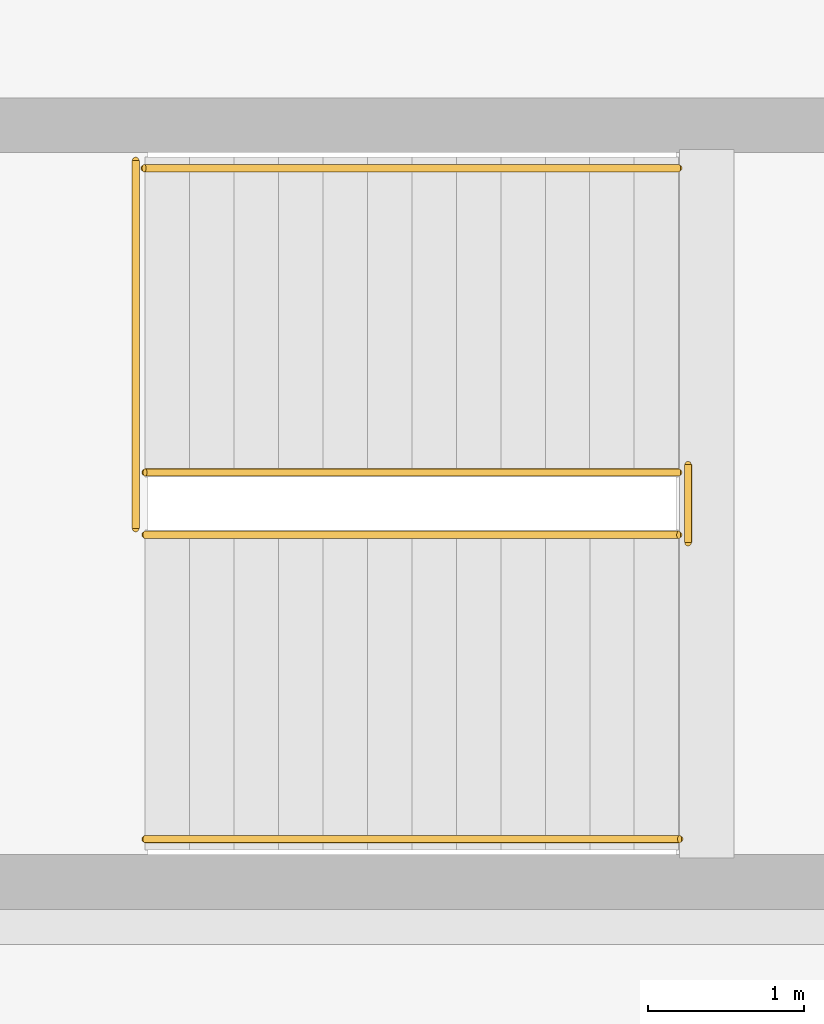
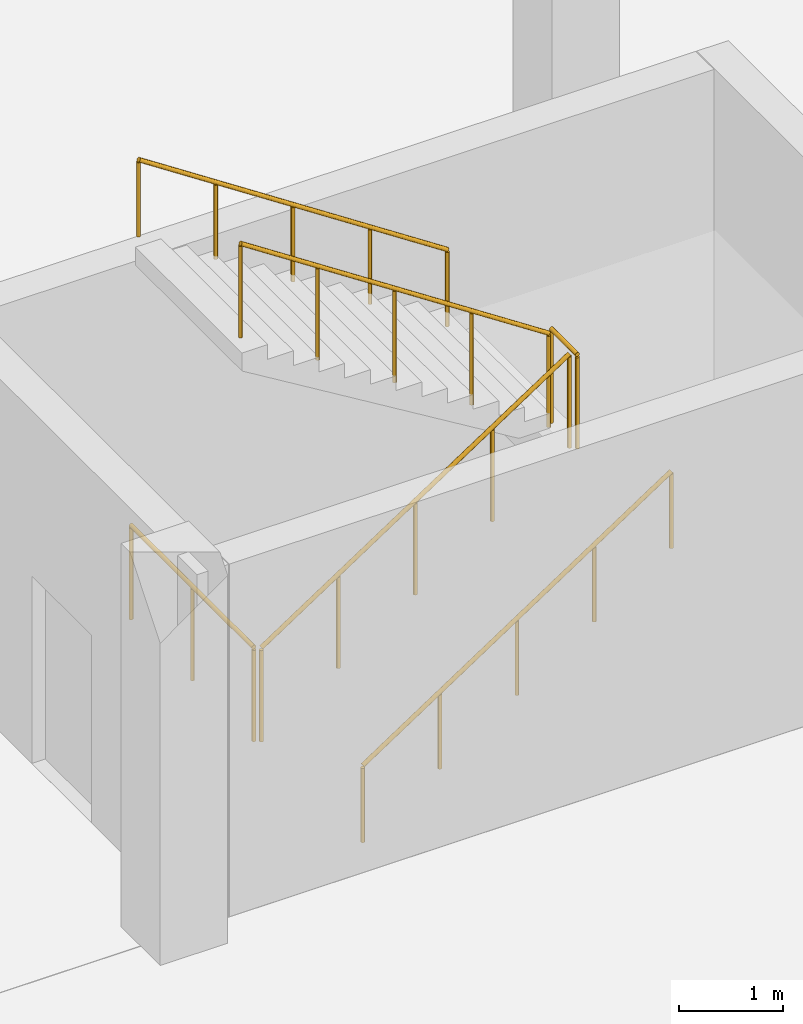
# One storey, part 28 of 31: 6 railings.
"""IFC4 building model written with IfcOpenShell, lengths in metres."""

from ifc_helpers import new_model, si_unit, direction, frame, origin, origin_2d, place, context, subcontext, project, spatial, circle, extrude, material, layer, layer_set, type_object, element, save


model = new_model("IFC4")

# Units and contexts
model_context = context("Model", 3, precision=1e-05, world=origin(), true_north=direction((0.0, 1.0)))
body_context = subcontext(model_context, "Body", "Model", "MODEL_VIEW")
ifc_project = project(units=[si_unit("LENGTHUNIT", "METRE"), si_unit("AREAUNIT", "SQUARE_METRE"), si_unit("VOLUMEUNIT", "CUBIC_METRE"), si_unit("PLANEANGLEUNIT", "RADIAN"), si_unit("MASSUNIT", "GRAM", prefix="KILO")], contexts=[model_context])

# Site, building, storey
site_placement = place(None, origin())
site = spatial("IfcSite", under=ifc_project, at=site_placement, CompositionType="ELEMENT")
building_placement = place(site_placement, origin())
building = spatial("IfcBuilding", under=site, at=building_placement, Name="Meriwether Solvik Hall", CompositionType="ELEMENT")
storey_placement = place(building_placement, frame((0.0, 0.0, -4.5)))
storey = spatial("IfcBuildingStorey", under=building, at=storey_placement, Name="B01", CompositionType="ELEMENT", Elevation=-4.5)

# Railings
ifc_material_1 = material(Name="Steel A36 Galvanised", Category="steel")
ifc_layer_1 = layer(ifc_material_1, 0.054931640625)
ifc_layer_set_1 = layer_set([ifc_layer_1], Name="Steel A36 Galvanised")
railing_type_1 = type_object("IfcRailingType", Name="RAIL-STR-GUARD", PredefinedType="GUARDRAIL", material=ifc_layer_set_1)
railing_1_placement = place(storey_placement, frame((19.830078125, 60.75, 2.25)))
element("IfcRailing", 1, at=railing_1_placement, inside=storey, type_object=railing_type_1, Name="Stair ST-04 Landing Guardrail (B01)", PredefinedType="GUARDRAIL", context=body_context, shape_type="SweptSolid", body=[
    extrude(circle(Radius=0.02392578125, at=origin_2d()), frame((0.0, 0.0, 1.09619140625), z_axis=(0.0, 1.0, 0.0), x_axis=(-1.0, 0.0, 0.0)), (0.0, 0.0, 1.0), 0.5),
    extrude(circle(Radius=0.02099609375, at=origin_2d()), origin(), (0.0, 0.0, 1.0), 1.072021484375),
    extrude(circle(Radius=0.02099609375, at=origin_2d()), frame((0.0, 0.5, 0.0)), (0.0, 0.0, 1.0), 1.072021484375),
])
railing_2_placement = place(storey_placement, frame((16.2900390625, 60.840087890625, 0.0)))
element("IfcRailing", 2, at=railing_2_placement, inside=storey, type_object=railing_type_1, Name="Stair ST-04 Well Guardrail (B01)", PredefinedType="GUARDRAIL", context=body_context, shape_type="SweptSolid", body=[
    extrude(circle(Radius=0.02392578125, at=origin_2d()), frame((0.0, 0.0, 1.09619140625), z_axis=(0.0, 1.0, 0.0), x_axis=(-1.0, 0.0, 0.0)), (0.0, 0.0, 1.0), 2.35986328125),
    extrude(circle(Radius=0.02099609375, at=origin_2d()), origin(), (0.0, 0.0, 1.0), 1.072021484375),
    extrude(circle(Radius=0.02099609375, at=origin_2d()), frame((0.0, 1.179931640625, 0.0)), (0.0, 0.0, 1.0), 1.072021484375),
    extrude(circle(Radius=0.02099609375, at=origin_2d()), frame((0.0, 2.35986328125, 0.0)), (0.0, 0.0, 1.0), 1.072021484375),
])
railing_3_placement = place(storey_placement, frame((16.35009765625, 60.800048828125, 0.0)))
element("IfcRailing", 3, at=railing_3_placement, inside=storey, type_object=railing_type_1, Name="Stair ST-04 Flight 1 Inner Guardrail (B01)", PredefinedType="GUARDRAIL", context=body_context, shape_type="SweptSolid", body=[
    extrude(circle(Radius=0.02392578125, at=origin_2d()), frame((0.0, 0.0, 1.09619140625), z_axis=(0.835411317272, 0.0, 0.549625264133), x_axis=(0.0, 1.0, 0.0)), (0.0, 0.0, 1.0), 4.09375),
    extrude(circle(Radius=0.02099609375, at=origin_2d()), origin(), (0.0, 0.0, 1.0), 1.072021484375),
    extrude(circle(Radius=0.02099609375, at=origin_2d()), frame((0.85498046875, 0.0, 0.5625)), (0.0, 0.0, 1.0), 1.072021484375),
    extrude(circle(Radius=0.02099609375, at=origin_2d()), frame((1.7099609375, 0.0, 1.125)), (0.0, 0.0, 1.0), 1.072021484375),
    extrude(circle(Radius=0.02099609375, at=origin_2d()), frame((2.56494140625, 0.0, 1.6875)), (0.0, 0.0, 1.0), 1.072021484375),
    extrude(circle(Radius=0.02099609375, at=origin_2d()), frame((3.419921875, 0.0, 2.25)), (0.0, 0.0, 1.0), 1.072021484375),
])
railing_4_placement = place(storey_placement, frame((19.77001953125, 61.199951171875, 2.25)))
element("IfcRailing", 4, at=railing_4_placement, inside=storey, type_object=railing_type_1, Name="Stair ST-04 Flight 2 Inner Guardrail (B01)", PredefinedType="GUARDRAIL", context=body_context, shape_type="SweptSolid", body=[
    extrude(circle(Radius=0.02392578125, at=origin_2d()), frame((0.0, 0.0, 1.09619140625), z_axis=(-0.835411317272, 0.0, 0.549625264133), x_axis=(0.0, -1.0, 0.0)), (0.0, 0.0, 1.0), 4.09375),
    extrude(circle(Radius=0.02099609375, at=origin_2d()), origin(), (0.0, 0.0, 1.0), 1.072021484375),
    extrude(circle(Radius=0.02099609375, at=origin_2d()), frame((-0.85498046875, 0.0, 0.5625)), (0.0, 0.0, 1.0), 1.072021484375),
    extrude(circle(Radius=0.02099609375, at=origin_2d()), frame((-1.7099609375, 0.0, 1.125)), (0.0, 0.0, 1.0), 1.072021484375),
    extrude(circle(Radius=0.02099609375, at=origin_2d()), frame((-2.56494140625, 0.0, 1.6875)), (0.0, 0.0, 1.0), 1.072021484375),
    extrude(circle(Radius=0.02099609375, at=origin_2d()), frame((-3.419921875, 0.0, 2.25)), (0.0, 0.0, 1.0), 1.072021484375),
])
ifc_material_2 = material(Name="Stainless Steel AISI 316", Category="steel")
ifc_layer_2 = layer(ifc_material_2, 0.044921875)
ifc_layer_set_2 = layer_set([ifc_layer_2], Name="Stainless Steel AISI 316")
railing_type_2 = type_object("IfcRailingType", Name="RAIL-STR-HAND", PredefinedType="HANDRAIL", material=ifc_layer_set_2)
railing_5_placement = place(storey_placement, frame((16.35009765625, 58.85009765625, 0.0)))
element("IfcRailing", 5, at=railing_5_placement, inside=storey, type_object=railing_type_2, Name="Stair ST-04 Lower Handrail (B01)", PredefinedType="HANDRAIL", context=body_context, shape_type="SweptSolid", body=[
    extrude(circle(Radius=0.02392578125, at=origin_2d()), frame((0.0, 0.0, 0.89599609375), z_axis=(0.835405572009, 0.0, 0.549633996635), x_axis=(0.0, 1.0, 0.0)), (0.0, 0.0, 1.0), 4.100830078125),
    extrude(circle(Radius=0.02099609375, at=origin_2d()), origin(), (0.0, 0.0, 1.0), 0.871826171875),
    extrude(circle(Radius=0.02099609375, at=origin_2d()), frame((0.8564453125, 0.0, 0.5634765625)), (0.0, 0.0, 1.0), 0.871826171875),
    extrude(circle(Radius=0.02099609375, at=origin_2d()), frame((1.712890625, 0.0, 1.126953125)), (0.0, 0.0, 1.0), 0.871826171875),
    extrude(circle(Radius=0.02099609375, at=origin_2d()), frame((2.5693359375, 0.0, 1.6904296875)), (0.0, 0.0, 1.0), 0.871826171875),
    extrude(circle(Radius=0.02099609375, at=origin_2d()), frame((3.42578125, 0.0, 2.25390625)), (0.0, 0.0, 1.0), 0.871826171875),
])
railing_6_placement = place(storey_placement, frame((19.77001953125, 63.14990234375, 2.25)))
element("IfcRailing", 6, at=railing_6_placement, inside=storey, type_object=railing_type_2, Name="Stair ST-04 Upper Handrail (B01)", PredefinedType="HANDRAIL", context=body_context, shape_type="SweptSolid", body=[
    extrude(circle(Radius=0.02392578125, at=origin_2d()), frame((0.0, 0.0, 0.89599609375), z_axis=(-0.835423556268, 0.0, 0.549606660833), x_axis=(0.0, -1.0, 0.0)), (0.0, 0.0, 1.0), 4.100830078125),
    extrude(circle(Radius=0.02099609375, at=origin_2d()), origin(), (0.0, 0.0, 1.0), 0.871826171875),
    extrude(circle(Radius=0.02099609375, at=origin_2d()), frame((-0.8564453125, 0.0, 0.5634765625)), (0.0, 0.0, 1.0), 0.871826171875),
    extrude(circle(Radius=0.02099609375, at=origin_2d()), frame((-1.712890625, 0.0, 1.126953125)), (0.0, 0.0, 1.0), 0.871826171875),
    extrude(circle(Radius=0.02099609375, at=origin_2d()), frame((-2.569580078125, 0.0, 1.6904296875)), (0.0, 0.0, 1.0), 0.871826171875),
    extrude(circle(Radius=0.02099609375, at=origin_2d()), frame((-3.426025390625, 0.0, 2.25390625)), (0.0, 0.0, 1.0), 0.871826171875),
])

save(model, "model.ifc")
